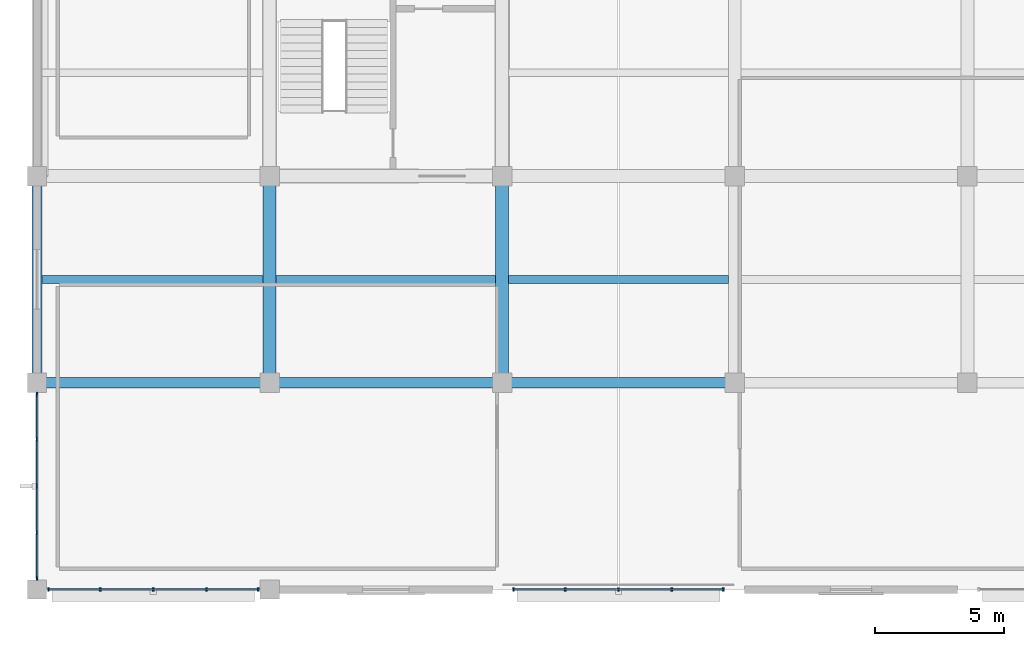
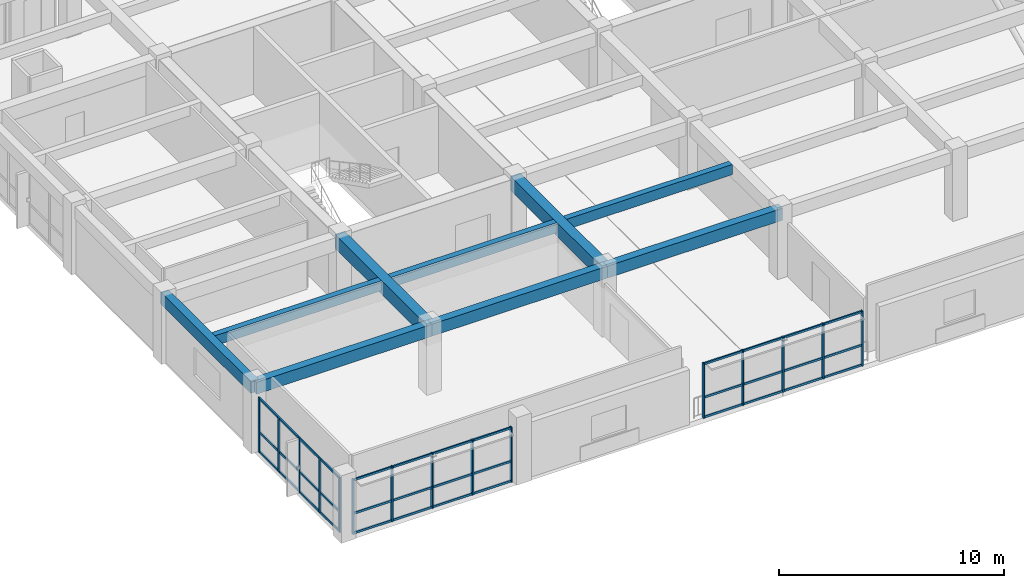
# One storey, part 2 of 15: 24 members, 9 beams, 3 elements without a shape of their own.
"""IFC4 building model written with IfcOpenShell, lengths in metres."""

from ifc_helpers import new_model, si_unit, direction, frame, origin, origin_2d, place, context, subcontext, project, spatial, rectangle, extrude, material, material_profile, profile_set, type_object, element, aggregate, save


model = new_model("IFC4")

# Units and contexts
model_context = context("Model", 3, precision=1e-05, world=origin(), true_north=direction((0.0, 1.0)))
body_context = subcontext(model_context, "Body", "Model", "MODEL_VIEW")
ifc_project = project(units=[si_unit("LENGTHUNIT", "METRE"), si_unit("AREAUNIT", "SQUARE_METRE"), si_unit("VOLUMEUNIT", "CUBIC_METRE"), si_unit("PLANEANGLEUNIT", "RADIAN"), si_unit("MASSUNIT", "GRAM", prefix="KILO")], contexts=[model_context])

# Site, building, storey
site_placement = place(None, origin())
site = spatial("IfcSite", under=ifc_project, at=site_placement, CompositionType="ELEMENT")
building_placement = place(site_placement, origin())
building = spatial("IfcBuilding", under=site, at=building_placement, Name="Zaverband Oceanarium and Marine Research Institute", CompositionType="ELEMENT")
storey_placement = place(building_placement, frame((0.0, 0.0, 53.10009765625)))
storey = spatial("IfcBuildingStorey", under=building, at=storey_placement, Name="L13", CompositionType="ELEMENT", Elevation=53.10009765625)

# Beams
ifc_material_1 = material(Name="Concrete C40/50", Category="concrete")
ifc_material_profile_1 = material_profile(ifc_material_1, rectangle(XDim=0.5, YDim=0.75, at=origin_2d()), Name="RC500x750")
ifc_profile_set_1 = profile_set([ifc_material_profile_1], Name="Concrete C40/50")
beam_type_1 = type_object("IfcBeamType", Name="BM-500x750", PredefinedType="BEAM", material=ifc_profile_set_1)
for number, where, z_axis, x_axis, name in (
    (1, (18.0, 72.0, 3.27490234375), (0.0, 1.0, 0.0), (-1.0, 0.0, 0.0), "Primary floor girder BM-500x750"),
    (2, (27.0, 72.0, 3.27490234375), (0.0, 1.0, 0.0), (-1.0, 0.0, 0.0), "Primary floor girder BM-500x750"),
):
    element("IfcBeam", number, at=place(storey_placement, frame(where, z_axis=z_axis, x_axis=x_axis)), inside=storey, type_object=beam_type_1, Name=name, PredefinedType="BEAM", context=body_context, shape_type="SweptSolid", body=[
        extrude(rectangle(XDim=0.5, YDim=0.75, at=origin_2d()), origin(), (0.0, 0.0, 1.0), 8.0),
    ])
ifc_material_profile_2 = material_profile(ifc_material_1, rectangle(XDim=0.300048828125, YDim=0.550048828125, at=origin_2d()), Name="RC300x550")
ifc_profile_set_2 = profile_set([ifc_material_profile_2], Name="Concrete C40/50")
beam_type_2 = type_object("IfcBeamType", Name="JST-300x550", PredefinedType="JOIST", material=ifc_profile_set_2)
beam_1_placement = place(storey_placement, frame((9.199951171875, 76.0, 3.375), z_axis=(1.0, 0.0, 0.0), x_axis=(0.0, 1.0, 0.0)))
element("IfcBeam", 3, at=beam_1_placement, inside=storey, type_object=beam_type_2, Name="Secondary floor joist JST-300x550", PredefinedType="JOIST", context=body_context, shape_type="SweptSolid", body=[
    extrude(rectangle(XDim=0.300048828125, YDim=0.550048828125, at=origin_2d()), origin(), (0.0, 0.0, 1.0), 8.550048828125),
])
for number, where, z_axis, x_axis, name in (
    (4, (18.25, 76.0, 3.375), (1.0, 0.0, 0.0), (0.0, 1.0, 0.0), "Secondary floor joist JST-300x550"),
    (5, (27.25, 76.0, 3.375), (1.0, 0.0, 0.0), (0.0, 1.0, 0.0), "Secondary floor joist JST-300x550"),
):
    element("IfcBeam", number, at=place(storey_placement, frame(where, z_axis=z_axis, x_axis=x_axis)), inside=storey, type_object=beam_type_2, Name=name, PredefinedType="JOIST", context=body_context, shape_type="SweptSolid", body=[
        extrude(rectangle(XDim=0.300048828125, YDim=0.550048828125, at=origin_2d()), origin(), (0.0, 0.0, 1.0), 8.5),
    ])

# Curtain wall, members
ifc_material_2 = material(Name="Thermally broken anodized aluminium and solar-control glass", Category="aluminium")
curtain_wall_type = type_object("IfcCurtainWallType", Name="CW-UNIT-1800", PredefinedType="NOTDEFINED", material=ifc_material_2)
curtain_wall_1_placement = place(storey_placement, origin())
curtain_wall_1 = element("IfcCurtainWall", 6, at=curtain_wall_1_placement, inside=storey, type_object=curtain_wall_type, Name="Unitised glazed curtain wall CW-139", PredefinedType="NOTDEFINED")
ifc_material_3 = material(Name="Thermally broken anodized aluminium", Category="aluminium")
ifc_material_profile_3 = material_profile(ifc_material_3, rectangle(XDim=0.070068359375, YDim=0.14990234375, at=origin_2d()), Name="AL-MUL-70x150")
ifc_profile_set_3 = profile_set([ifc_material_profile_3], Name="Thermally broken anodized aluminium")
member_type_1 = type_object("IfcMemberType", Name="MUL-70x150", PredefinedType="MULLION", material=ifc_profile_set_3)
member_1_placement = place(storey_placement, frame((9.43994140625, 64.0, 0.0), z_axis=(0.0, 0.0, 1.0), x_axis=(1.0, 0.0, 0.0)))
member_1 = element("IfcMember", 7, at=member_1_placement, type_object=member_type_1, Name="Curtain wall vertical mullion MUL-70x150", PredefinedType="MULLION", context=body_context, shape_type="SweptSolid", body=[
    extrude(rectangle(XDim=0.070068359375, YDim=0.14990234375, at=origin_2d()), origin(), (0.0, 0.0, 1.0), 2.97998046875),
])
member_2_placement = place(storey_placement, frame((11.43994140625, 64.0, 0.0), z_axis=(0.0, 0.0, 1.0), x_axis=(1.0, 0.0, 0.0)))
member_2 = element("IfcMember", 8, at=member_2_placement, type_object=member_type_1, Name="Curtain wall vertical mullion MUL-70x150", PredefinedType="MULLION", context=body_context, shape_type="SweptSolid", body=[
    extrude(rectangle(XDim=0.070068359375, YDim=0.14990234375, at=origin_2d()), origin(), (0.0, 0.0, 1.0), 2.97998046875),
])
member_3_placement = place(storey_placement, frame((13.5, 64.0, 0.0), z_axis=(0.0, 0.0, 1.0), x_axis=(1.0, 0.0, 0.0)))
member_3 = element("IfcMember", 9, at=member_3_placement, type_object=member_type_1, Name="Curtain wall vertical mullion MUL-70x150", PredefinedType="MULLION", context=body_context, shape_type="SweptSolid", body=[
    extrude(rectangle(XDim=0.070068359375, YDim=0.14990234375, at=origin_2d()), origin(), (0.0, 0.0, 1.0), 2.97998046875),
])
member_4_placement = place(storey_placement, frame((15.56005859375, 64.0, 0.0), z_axis=(0.0, 0.0, 1.0), x_axis=(1.0, 0.0, 0.0)))
member_4 = element("IfcMember", 10, at=member_4_placement, type_object=member_type_1, Name="Curtain wall vertical mullion MUL-70x150", PredefinedType="MULLION", context=body_context, shape_type="SweptSolid", body=[
    extrude(rectangle(XDim=0.070068359375, YDim=0.14990234375, at=origin_2d()), origin(), (0.0, 0.0, 1.0), 2.97998046875),
])
member_5_placement = place(storey_placement, frame((17.56005859375, 64.0, 0.0), z_axis=(0.0, 0.0, 1.0), x_axis=(1.0, 0.0, 0.0)))
member_5 = element("IfcMember", 11, at=member_5_placement, type_object=member_type_1, Name="Curtain wall vertical mullion MUL-70x150", PredefinedType="MULLION", context=body_context, shape_type="SweptSolid", body=[
    extrude(rectangle(XDim=0.070068359375, YDim=0.14990234375, at=origin_2d()), origin(), (0.0, 0.0, 1.0), 2.97998046875),
])

curtain_wall_2_placement = place(storey_placement, origin())
curtain_wall_2 = element("IfcCurtainWall", 12, at=curtain_wall_2_placement, inside=storey, type_object=curtain_wall_type, Name="Unitised glazed curtain wall CW-140", PredefinedType="NOTDEFINED")
member_6_placement = place(storey_placement, frame((27.43994140625, 64.0, 0.0), z_axis=(0.0, 0.0, 1.0), x_axis=(1.0, 0.0, 0.0)))
member_6 = element("IfcMember", 13, at=member_6_placement, type_object=member_type_1, Name="Curtain wall vertical mullion MUL-70x150", PredefinedType="MULLION", context=body_context, shape_type="SweptSolid", body=[
    extrude(rectangle(XDim=0.070068359375, YDim=0.14990234375, at=origin_2d()), origin(), (0.0, 0.0, 1.0), 2.97998046875),
])
member_7_placement = place(storey_placement, frame((29.43994140625, 64.0, 0.0), z_axis=(0.0, 0.0, 1.0), x_axis=(1.0, 0.0, 0.0)))
member_7 = element("IfcMember", 14, at=member_7_placement, type_object=member_type_1, Name="Curtain wall vertical mullion MUL-70x150", PredefinedType="MULLION", context=body_context, shape_type="SweptSolid", body=[
    extrude(rectangle(XDim=0.070068359375, YDim=0.14990234375, at=origin_2d()), origin(), (0.0, 0.0, 1.0), 2.97998046875),
])
member_8_placement = place(storey_placement, frame((31.5, 64.0, 0.0), z_axis=(0.0, 0.0, 1.0), x_axis=(1.0, 0.0, 0.0)))
member_8 = element("IfcMember", 15, at=member_8_placement, type_object=member_type_1, Name="Curtain wall vertical mullion MUL-70x150", PredefinedType="MULLION", context=body_context, shape_type="SweptSolid", body=[
    extrude(rectangle(XDim=0.070068359375, YDim=0.14990234375, at=origin_2d()), origin(), (0.0, 0.0, 1.0), 2.97998046875),
])
member_9_placement = place(storey_placement, frame((33.56005859375, 64.0, 0.0), z_axis=(0.0, 0.0, 1.0), x_axis=(1.0, 0.0, 0.0)))
member_9 = element("IfcMember", 16, at=member_9_placement, type_object=member_type_1, Name="Curtain wall vertical mullion MUL-70x150", PredefinedType="MULLION", context=body_context, shape_type="SweptSolid", body=[
    extrude(rectangle(XDim=0.070068359375, YDim=0.14990234375, at=origin_2d()), origin(), (0.0, 0.0, 1.0), 2.97998046875),
])
member_10_placement = place(storey_placement, frame((35.56005859375, 64.0, 0.0), z_axis=(0.0, 0.0, 1.0), x_axis=(1.0, 0.0, 0.0)))
member_10 = element("IfcMember", 17, at=member_10_placement, type_object=member_type_1, Name="Curtain wall vertical mullion MUL-70x150", PredefinedType="MULLION", context=body_context, shape_type="SweptSolid", body=[
    extrude(rectangle(XDim=0.070068359375, YDim=0.14990234375, at=origin_2d()), origin(), (0.0, 0.0, 1.0), 2.97998046875),
])

curtain_wall_3_placement = place(storey_placement, origin())
curtain_wall_3 = element("IfcCurtainWall", 18, at=curtain_wall_3_placement, inside=storey, type_object=curtain_wall_type, Name="Unitised glazed curtain wall CW-145", PredefinedType="NOTDEFINED")
member_11_placement = place(storey_placement, frame((9.0, 64.43994140625, 0.0), z_axis=(0.0, 0.0, 1.0), x_axis=(1.0, 0.0, 0.0)))
member_11 = element("IfcMember", 19, at=member_11_placement, type_object=member_type_1, Name="Curtain wall vertical mullion MUL-70x150", PredefinedType="MULLION", context=body_context, shape_type="SweptSolid", body=[
    extrude(rectangle(XDim=0.070068359375, YDim=0.14990234375, at=origin_2d()), origin(), (0.0, 0.0, 1.0), 2.97998046875),
])
member_12_placement = place(storey_placement, frame((9.0, 66.18994140625, 0.0), z_axis=(0.0, 0.0, 1.0), x_axis=(1.0, 0.0, 0.0)))
member_12 = element("IfcMember", 20, at=member_12_placement, type_object=member_type_1, Name="Curtain wall vertical mullion MUL-70x150", PredefinedType="MULLION", context=body_context, shape_type="SweptSolid", body=[
    extrude(rectangle(XDim=0.070068359375, YDim=0.14990234375, at=origin_2d()), origin(), (0.0, 0.0, 1.0), 2.97998046875),
])
member_13_placement = place(storey_placement, frame((9.0, 68.0, 0.0), z_axis=(0.0, 0.0, 1.0), x_axis=(1.0, 0.0, 0.0)))
member_13 = element("IfcMember", 21, at=member_13_placement, type_object=member_type_1, Name="Curtain wall vertical mullion MUL-70x150", PredefinedType="MULLION", context=body_context, shape_type="SweptSolid", body=[
    extrude(rectangle(XDim=0.070068359375, YDim=0.14990234375, at=origin_2d()), origin(), (0.0, 0.0, 1.0), 2.97998046875),
])
member_14_placement = place(storey_placement, frame((9.0, 69.81005859375, 0.0), z_axis=(0.0, 0.0, 1.0), x_axis=(1.0, 0.0, 0.0)))
member_14 = element("IfcMember", 22, at=member_14_placement, type_object=member_type_1, Name="Curtain wall vertical mullion MUL-70x150", PredefinedType="MULLION", context=body_context, shape_type="SweptSolid", body=[
    extrude(rectangle(XDim=0.070068359375, YDim=0.14990234375, at=origin_2d()), origin(), (0.0, 0.0, 1.0), 2.97998046875),
])
member_15_placement = place(storey_placement, frame((9.0, 71.56005859375, 0.0), z_axis=(0.0, 0.0, 1.0), x_axis=(1.0, 0.0, 0.0)))
member_15 = element("IfcMember", 23, at=member_15_placement, type_object=member_type_1, Name="Curtain wall vertical mullion MUL-70x150", PredefinedType="MULLION", context=body_context, shape_type="SweptSolid", body=[
    extrude(rectangle(XDim=0.070068359375, YDim=0.14990234375, at=origin_2d()), origin(), (0.0, 0.0, 1.0), 2.97998046875),
])

# Beams
ifc_material_profile_4 = material_profile(ifc_material_1, rectangle(XDim=0.39990234375, YDim=0.64990234375, at=origin_2d()), Name="RC400x650")
ifc_profile_set_4 = profile_set([ifc_material_profile_4], Name="Concrete C40/50")
beam_type_3 = type_object("IfcBeamType", Name="SPN-400x650", PredefinedType="SPANDREL", material=ifc_profile_set_4)
for number, where, z_axis, x_axis, name in (
    (24, (9.0, 72.0, 3.324951171875), (1.0, 0.0, 0.0), (0.0, 1.0, 0.0), "Perimeter spandrel beam SPN-400x650"),
    (25, (18.0, 72.0, 3.324951171875), (1.0, 0.0, 0.0), (0.0, 1.0, 0.0), "Perimeter spandrel beam SPN-400x650"),
    (26, (27.0, 72.0, 3.324951171875), (1.0, 0.0, 0.0), (0.0, 1.0, 0.0), "Perimeter spandrel beam SPN-400x650"),
):
    element("IfcBeam", number, at=place(storey_placement, frame(where, z_axis=z_axis, x_axis=x_axis)), inside=storey, type_object=beam_type_3, Name=name, PredefinedType="SPANDREL", context=body_context, shape_type="SweptSolid", body=[
        extrude(rectangle(XDim=0.39990234375, YDim=0.64990234375, at=origin_2d()), origin(), (0.0, 0.0, 1.0), 9.0),
    ])
beam_2_placement = place(storey_placement, frame((9.0, 72.0, 3.324951171875), z_axis=(0.0, 1.0, 0.0), x_axis=(-1.0, 0.0, 0.0)))
element("IfcBeam", 27, at=beam_2_placement, inside=storey, type_object=beam_type_3, Name="Perimeter spandrel beam SPN-400x650", PredefinedType="SPANDREL", context=body_context, shape_type="SweptSolid", body=[
    extrude(rectangle(XDim=0.39990234375, YDim=0.64990234375, at=origin_2d()), origin(), (0.0, 0.0, 1.0), 8.0),
])

# Member
ifc_material_profile_5 = material_profile(ifc_material_3, rectangle(XDim=0.070068359375, YDim=0.114990234375, at=origin_2d()), Name="AL-TRN-70x115")
ifc_profile_set_5 = profile_set([ifc_material_profile_5], Name="Thermally broken anodized aluminium")
member_type_2 = type_object("IfcMemberType", Name="TRN-70x115", PredefinedType="USERDEFINED", material=ifc_profile_set_5)
member_16_placement = place(storey_placement, frame((9.43994140625, 64.0, 0.0498046875), z_axis=(1.0, 0.0, 0.0), x_axis=(0.0, 1.0, 0.0)))
member_16 = element("IfcMember", 28, at=member_16_placement, type_object=member_type_2, Name="Curtain wall horizontal transom TRN-70x115", ObjectType="TRANSOM", PredefinedType="USERDEFINED", context=body_context, shape_type="SweptSolid", body=[
    extrude(rectangle(XDim=0.070068359375, YDim=0.114990234375, at=origin_2d()), origin(), (0.0, 0.0, 1.0), 8.1201171875),
])

member_17_placement = place(storey_placement, frame((9.43994140625, 64.0, 1.122802734375), z_axis=(1.0, 0.0, 0.0), x_axis=(0.0, 1.0, 0.0)))
member_17 = element("IfcMember", 29, at=member_17_placement, type_object=member_type_2, Name="Curtain wall horizontal transom TRN-70x115", ObjectType="TRANSOM", PredefinedType="USERDEFINED", context=body_context, shape_type="SweptSolid", body=[
    extrude(rectangle(XDim=0.070068359375, YDim=0.114990234375, at=origin_2d()), origin(), (0.0, 0.0, 1.0), 8.1201171875),
])

member_18_placement = place(storey_placement, frame((9.43994140625, 64.0, 2.929931640625), z_axis=(1.0, 0.0, 0.0), x_axis=(0.0, 1.0, 0.0)))
member_18 = element("IfcMember", 30, at=member_18_placement, type_object=member_type_2, Name="Curtain wall horizontal transom TRN-70x115", ObjectType="TRANSOM", PredefinedType="USERDEFINED", context=body_context, shape_type="SweptSolid", body=[
    extrude(rectangle(XDim=0.070068359375, YDim=0.114990234375, at=origin_2d()), origin(), (0.0, 0.0, 1.0), 8.1201171875),
])

aggregate(curtain_wall_1, [member_1, member_2, member_3, member_4, member_5, member_16, member_17, member_18])

member_19_placement = place(storey_placement, frame((27.43994140625, 64.0, 0.0498046875), z_axis=(1.0, 0.0, 0.0), x_axis=(0.0, 1.0, 0.0)))
member_19 = element("IfcMember", 31, at=member_19_placement, type_object=member_type_2, Name="Curtain wall horizontal transom TRN-70x115", ObjectType="TRANSOM", PredefinedType="USERDEFINED", context=body_context, shape_type="SweptSolid", body=[
    extrude(rectangle(XDim=0.070068359375, YDim=0.114990234375, at=origin_2d()), origin(), (0.0, 0.0, 1.0), 8.1201171875),
])

member_20_placement = place(storey_placement, frame((27.43994140625, 64.0, 1.122802734375), z_axis=(1.0, 0.0, 0.0), x_axis=(0.0, 1.0, 0.0)))
member_20 = element("IfcMember", 32, at=member_20_placement, type_object=member_type_2, Name="Curtain wall horizontal transom TRN-70x115", ObjectType="TRANSOM", PredefinedType="USERDEFINED", context=body_context, shape_type="SweptSolid", body=[
    extrude(rectangle(XDim=0.070068359375, YDim=0.114990234375, at=origin_2d()), origin(), (0.0, 0.0, 1.0), 8.1201171875),
])

member_21_placement = place(storey_placement, frame((27.43994140625, 64.0, 2.929931640625), z_axis=(1.0, 0.0, 0.0), x_axis=(0.0, 1.0, 0.0)))
member_21 = element("IfcMember", 33, at=member_21_placement, type_object=member_type_2, Name="Curtain wall horizontal transom TRN-70x115", ObjectType="TRANSOM", PredefinedType="USERDEFINED", context=body_context, shape_type="SweptSolid", body=[
    extrude(rectangle(XDim=0.070068359375, YDim=0.114990234375, at=origin_2d()), origin(), (0.0, 0.0, 1.0), 8.1201171875),
])

aggregate(curtain_wall_2, [member_6, member_7, member_8, member_9, member_10, member_19, member_20, member_21])

member_22_placement = place(storey_placement, frame((9.0, 64.43994140625, 0.0498046875), z_axis=(0.0, 1.0, 0.0), x_axis=(-1.0, 0.0, 0.0)))
member_22 = element("IfcMember", 34, at=member_22_placement, type_object=member_type_2, Name="Curtain wall horizontal transom TRN-70x115", ObjectType="TRANSOM", PredefinedType="USERDEFINED", context=body_context, shape_type="SweptSolid", body=[
    extrude(rectangle(XDim=0.070068359375, YDim=0.114990234375, at=origin_2d()), origin(), (0.0, 0.0, 1.0), 7.1201171875),
])

member_23_placement = place(storey_placement, frame((9.0, 64.43994140625, 1.122802734375), z_axis=(0.0, 1.0, 0.0), x_axis=(-1.0, 0.0, 0.0)))
member_23 = element("IfcMember", 35, at=member_23_placement, type_object=member_type_2, Name="Curtain wall horizontal transom TRN-70x115", ObjectType="TRANSOM", PredefinedType="USERDEFINED", context=body_context, shape_type="SweptSolid", body=[
    extrude(rectangle(XDim=0.070068359375, YDim=0.114990234375, at=origin_2d()), origin(), (0.0, 0.0, 1.0), 7.1201171875),
])

member_24_placement = place(storey_placement, frame((9.0, 64.43994140625, 2.929931640625), z_axis=(0.0, 1.0, 0.0), x_axis=(-1.0, 0.0, 0.0)))
member_24 = element("IfcMember", 36, at=member_24_placement, type_object=member_type_2, Name="Curtain wall horizontal transom TRN-70x115", ObjectType="TRANSOM", PredefinedType="USERDEFINED", context=body_context, shape_type="SweptSolid", body=[
    extrude(rectangle(XDim=0.070068359375, YDim=0.114990234375, at=origin_2d()), origin(), (0.0, 0.0, 1.0), 7.1201171875),
])

aggregate(curtain_wall_3, [member_11, member_12, member_13, member_14, member_15, member_22, member_23, member_24])

save(model, "model.ifc")
